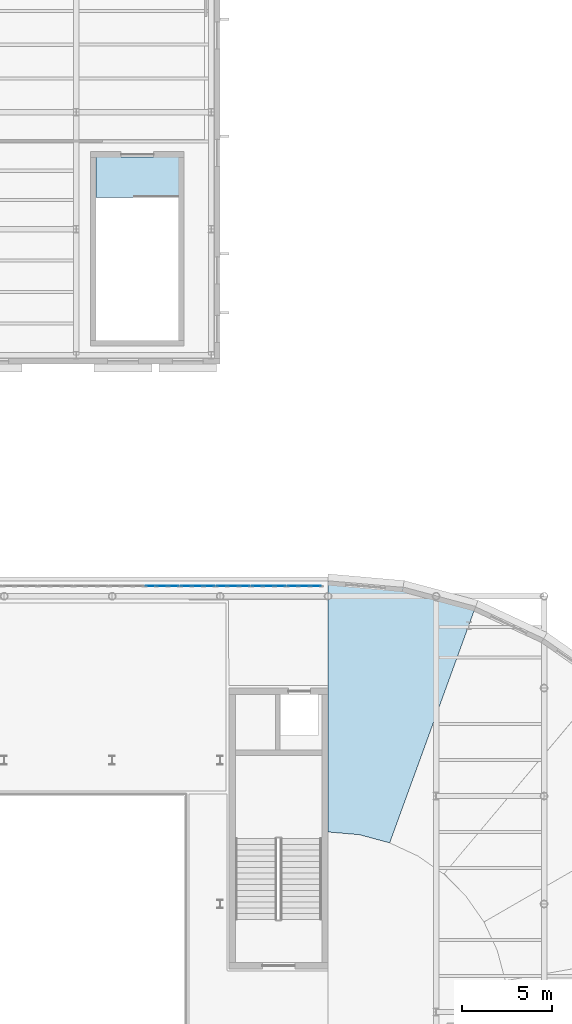
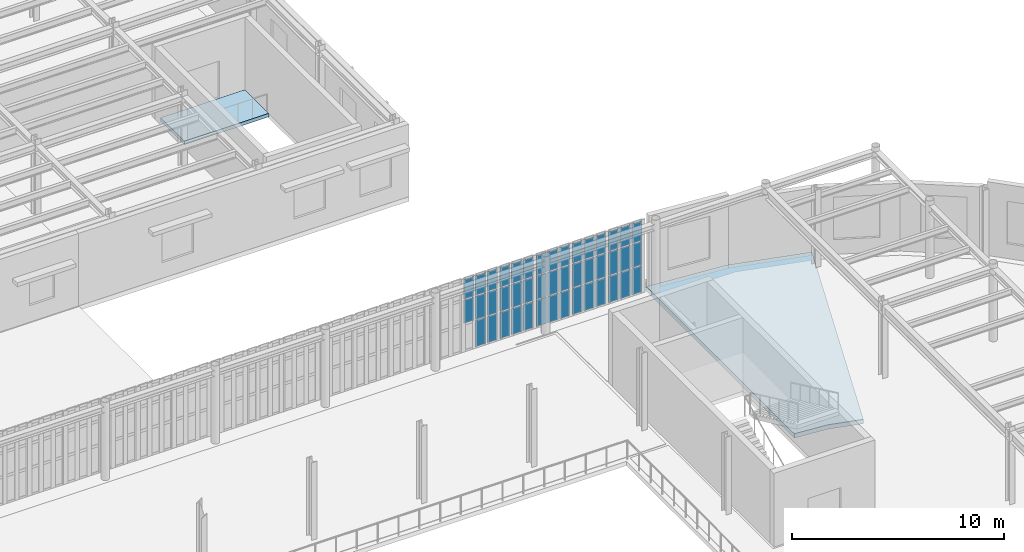
# One storey, part 56 of 91: 44 plates, 2 slabs, 5 elements without a shape of their own.
"""IFC4 building model written with IfcOpenShell, lengths in metres."""

from ifc_helpers import new_model, si_unit, direction, frame, origin, origin_2d, place, context, subcontext, project, spatial, polyline, rectangle, outline, extrude, material, layer, layer_set, type_object, element, aggregate, save


model = new_model("IFC4")

# Units and contexts
model_context = context("Model", 3, precision=1e-05, world=origin(), true_north=direction((0.0, 1.0)))
body_context = subcontext(model_context, "Body", "Model", "MODEL_VIEW")
ifc_project = project(units=[si_unit("LENGTHUNIT", "METRE"), si_unit("AREAUNIT", "SQUARE_METRE"), si_unit("VOLUMEUNIT", "CUBIC_METRE"), si_unit("PLANEANGLEUNIT", "RADIAN"), si_unit("MASSUNIT", "GRAM", prefix="KILO")], contexts=[model_context])

# Site, building, storey
site_placement = place(None, origin())
site = spatial("IfcSite", under=ifc_project, at=site_placement, CompositionType="ELEMENT")
building_placement = place(site_placement, origin())
building = spatial("IfcBuilding", under=site, at=building_placement, Name="Kolvaren Corner Interchange", CompositionType="ELEMENT")
storey_placement = place(building_placement, frame((0.0, 0.0, 6.0)))
storey = spatial("IfcBuildingStorey", under=building, at=storey_placement, Name="L02", CompositionType="ELEMENT", Elevation=6.0)

# Curtain wall, plates
ifc_material_1 = material(Name="Unitised Aluminium and Solar-Control Glass Curtain Wall", Category="aluminium")
curtain_wall_type = type_object("IfcCurtainWallType", Name="CW-V1-NORTH", PredefinedType="NOTDEFINED", material=ifc_material_1)
curtain_wall_1_placement = place(storey_placement, origin())
curtain_wall_1 = element("IfcCurtainWall", 1, at=curtain_wall_1_placement, inside=storey, type_object=curtain_wall_type, Name="North Concourse Gallery Curtain Wall Bay 01", PredefinedType="NOTDEFINED")
ifc_material_2 = material(Name="Low-E Solar-Control Laminated Glass", Category="glass")
ifc_layer_1 = layer(ifc_material_2, 0.035888671875)
ifc_layer_set_1 = layer_set([ifc_layer_1], Name="Low-E Solar-Control Laminated Glass")
plate_type = type_object("IfcPlateType", Name="PLT-CW-GL32", PredefinedType="CURTAIN_PANEL", material=ifc_layer_set_1)
plate_1_placement = place(storey_placement, frame((119.303955078125, 71.659912109375, 0.06494140625), z_axis=(0.0, 0.0, 1.0), x_axis=(-1.0, 0.0, 0.0)))
plate_1 = element("IfcPlate", 2, at=plate_1_placement, type_object=plate_type, Name="CW-058 panel 1.1", PredefinedType="CURTAIN_PANEL", context=body_context, shape_type="SweptSolid", body=[
    extrude(rectangle(XDim=0.552001953125, YDim=0.035888671875, at=origin_2d()), origin(), (0.0, 0.0, 1.0), 1.50244140625),
])
plate_2_placement = place(storey_placement, frame((119.303955078125, 71.659912109375, 1.632568359375), z_axis=(0.0, 0.0, 1.0), x_axis=(-1.0, 0.0, 0.0)))
plate_2 = element("IfcPlate", 3, at=plate_2_placement, type_object=plate_type, Name="CW-058 panel 1.2", PredefinedType="CURTAIN_PANEL", context=body_context, shape_type="SweptSolid", body=[
    extrude(rectangle(XDim=0.552001953125, YDim=0.035888671875, at=origin_2d()), origin(), (0.0, 0.0, 1.0), 1.3349609375),
])
plate_3_placement = place(storey_placement, frame((119.303955078125, 71.659912109375, 3.032470703125), z_axis=(0.0, 0.0, 1.0), x_axis=(-1.0, 0.0, 0.0)))
plate_3 = element("IfcPlate", 4, at=plate_3_placement, type_object=plate_type, Name="CW-058 panel 1.3", PredefinedType="CURTAIN_PANEL", context=body_context, shape_type="SweptSolid", body=[
    extrude(rectangle(XDim=0.552001953125, YDim=0.035888671875, at=origin_2d()), origin(), (0.0, 0.0, 1.0), 1.12255859375),
])
plate_4_placement = place(storey_placement, frame((118.66455078125, 71.659912109375, 0.06494140625), z_axis=(0.0, 0.0, 1.0), x_axis=(-1.0, 0.0, 0.0)))
plate_4 = element("IfcPlate", 5, at=plate_4_placement, type_object=plate_type, Name="CW-058 panel 2.1", PredefinedType="CURTAIN_PANEL", context=body_context, shape_type="SweptSolid", body=[
    extrude(rectangle(XDim=0.5869140625, YDim=0.035888671875, at=origin_2d()), origin(), (0.0, 0.0, 1.0), 1.50244140625),
])
plate_5_placement = place(storey_placement, frame((118.66455078125, 71.659912109375, 1.632568359375), z_axis=(0.0, 0.0, 1.0), x_axis=(-1.0, 0.0, 0.0)))
plate_5 = element("IfcPlate", 6, at=plate_5_placement, type_object=plate_type, Name="CW-058 panel 2.2", PredefinedType="CURTAIN_PANEL", context=body_context, shape_type="SweptSolid", body=[
    extrude(rectangle(XDim=0.5869140625, YDim=0.035888671875, at=origin_2d()), origin(), (0.0, 0.0, 1.0), 1.3349609375),
])
plate_6_placement = place(storey_placement, frame((118.66455078125, 71.659912109375, 3.032470703125), z_axis=(0.0, 0.0, 1.0), x_axis=(-1.0, 0.0, 0.0)))
plate_6 = element("IfcPlate", 7, at=plate_6_placement, type_object=plate_type, Name="CW-058 panel 2.3", PredefinedType="CURTAIN_PANEL", context=body_context, shape_type="SweptSolid", body=[
    extrude(rectangle(XDim=0.5869140625, YDim=0.035888671875, at=origin_2d()), origin(), (0.0, 0.0, 1.0), 1.12255859375),
])
plate_7_placement = place(storey_placement, frame((118.025146484375, 71.659912109375, 0.06494140625), z_axis=(0.0, 0.0, 1.0), x_axis=(-1.0, 0.0, 0.0)))
plate_7 = element("IfcPlate", 8, at=plate_7_placement, type_object=plate_type, Name="CW-058 panel 3.1", PredefinedType="CURTAIN_PANEL", context=body_context, shape_type="SweptSolid", body=[
    extrude(rectangle(XDim=0.552001953125, YDim=0.035888671875, at=origin_2d()), origin(), (0.0, 0.0, 1.0), 1.50244140625),
])
plate_8_placement = place(storey_placement, frame((118.025146484375, 71.659912109375, 1.632568359375), z_axis=(0.0, 0.0, 1.0), x_axis=(-1.0, 0.0, 0.0)))
plate_8 = element("IfcPlate", 9, at=plate_8_placement, type_object=plate_type, Name="CW-058 panel 3.2", PredefinedType="CURTAIN_PANEL", context=body_context, shape_type="SweptSolid", body=[
    extrude(rectangle(XDim=0.552001953125, YDim=0.035888671875, at=origin_2d()), origin(), (0.0, 0.0, 1.0), 1.3349609375),
])
plate_9_placement = place(storey_placement, frame((118.025146484375, 71.659912109375, 3.032470703125), z_axis=(0.0, 0.0, 1.0), x_axis=(-1.0, 0.0, 0.0)))
plate_9 = element("IfcPlate", 10, at=plate_9_placement, type_object=plate_type, Name="CW-058 panel 3.3", PredefinedType="CURTAIN_PANEL", context=body_context, shape_type="SweptSolid", body=[
    extrude(rectangle(XDim=0.552001953125, YDim=0.035888671875, at=origin_2d()), origin(), (0.0, 0.0, 1.0), 1.12255859375),
])
aggregate(curtain_wall_1, [plate_1, plate_2, plate_3, plate_4, plate_5, plate_6, plate_7, plate_8, plate_9])

curtain_wall_2_placement = place(storey_placement, origin())
curtain_wall_2 = element("IfcCurtainWall", 11, at=curtain_wall_2_placement, inside=storey, type_object=curtain_wall_type, Name="North Concourse Gallery Curtain Wall Bay 02", PredefinedType="NOTDEFINED")
plate_10_placement = place(storey_placement, frame((117.333251953125, 71.659912109375, 0.06494140625), z_axis=(0.0, 0.0, 1.0), x_axis=(-1.0, 0.0, 0.0)))
plate_10 = element("IfcPlate", 12, at=plate_10_placement, type_object=plate_type, Name="CW-059 panel 1.1", PredefinedType="CURTAIN_PANEL", context=body_context, shape_type="SweptSolid", body=[
    extrude(rectangle(XDim=0.552001953125, YDim=0.035888671875, at=origin_2d()), origin(), (0.0, 0.0, 1.0), 1.50244140625),
])
plate_11_placement = place(storey_placement, frame((117.333251953125, 71.659912109375, 1.632568359375), z_axis=(0.0, 0.0, 1.0), x_axis=(-1.0, 0.0, 0.0)))
plate_11 = element("IfcPlate", 13, at=plate_11_placement, type_object=plate_type, Name="CW-059 panel 1.2", PredefinedType="CURTAIN_PANEL", context=body_context, shape_type="SweptSolid", body=[
    extrude(rectangle(XDim=0.552001953125, YDim=0.035888671875, at=origin_2d()), origin(), (0.0, 0.0, 1.0), 1.3349609375),
])
plate_12_placement = place(storey_placement, frame((117.333251953125, 71.659912109375, 3.032470703125), z_axis=(0.0, 0.0, 1.0), x_axis=(-1.0, 0.0, 0.0)))
plate_12 = element("IfcPlate", 14, at=plate_12_placement, type_object=plate_type, Name="CW-059 panel 1.3", PredefinedType="CURTAIN_PANEL", context=body_context, shape_type="SweptSolid", body=[
    extrude(rectangle(XDim=0.552001953125, YDim=0.035888671875, at=origin_2d()), origin(), (0.0, 0.0, 1.0), 1.12255859375),
])
plate_13_placement = place(storey_placement, frame((116.69384765625, 71.659912109375, 0.06494140625), z_axis=(0.0, 0.0, 1.0), x_axis=(-1.0, 0.0, 0.0)))
plate_13 = element("IfcPlate", 15, at=plate_13_placement, type_object=plate_type, Name="CW-059 panel 2.1", PredefinedType="CURTAIN_PANEL", context=body_context, shape_type="SweptSolid", body=[
    extrude(rectangle(XDim=0.5869140625, YDim=0.035888671875, at=origin_2d()), origin(), (0.0, 0.0, 1.0), 1.50244140625),
])
plate_14_placement = place(storey_placement, frame((116.69384765625, 71.659912109375, 1.632568359375), z_axis=(0.0, 0.0, 1.0), x_axis=(-1.0, 0.0, 0.0)))
plate_14 = element("IfcPlate", 16, at=plate_14_placement, type_object=plate_type, Name="CW-059 panel 2.2", PredefinedType="CURTAIN_PANEL", context=body_context, shape_type="SweptSolid", body=[
    extrude(rectangle(XDim=0.5869140625, YDim=0.035888671875, at=origin_2d()), origin(), (0.0, 0.0, 1.0), 1.3349609375),
])
plate_15_placement = place(storey_placement, frame((116.69384765625, 71.659912109375, 3.032470703125), z_axis=(0.0, 0.0, 1.0), x_axis=(-1.0, 0.0, 0.0)))
plate_15 = element("IfcPlate", 17, at=plate_15_placement, type_object=plate_type, Name="CW-059 panel 2.3", PredefinedType="CURTAIN_PANEL", context=body_context, shape_type="SweptSolid", body=[
    extrude(rectangle(XDim=0.5869140625, YDim=0.035888671875, at=origin_2d()), origin(), (0.0, 0.0, 1.0), 1.12255859375),
])
plate_16_placement = place(storey_placement, frame((116.05419921875, 71.659912109375, 0.06494140625), z_axis=(0.0, 0.0, 1.0), x_axis=(-1.0, 0.0, 0.0)))
plate_16 = element("IfcPlate", 18, at=plate_16_placement, type_object=plate_type, Name="CW-059 panel 3.1", PredefinedType="CURTAIN_PANEL", context=body_context, shape_type="SweptSolid", body=[
    extrude(rectangle(XDim=0.552001953125, YDim=0.035888671875, at=origin_2d()), origin(), (0.0, 0.0, 1.0), 1.50244140625),
])
plate_17_placement = place(storey_placement, frame((116.05419921875, 71.659912109375, 1.632568359375), z_axis=(0.0, 0.0, 1.0), x_axis=(-1.0, 0.0, 0.0)))
plate_17 = element("IfcPlate", 19, at=plate_17_placement, type_object=plate_type, Name="CW-059 panel 3.2", PredefinedType="CURTAIN_PANEL", context=body_context, shape_type="SweptSolid", body=[
    extrude(rectangle(XDim=0.552001953125, YDim=0.035888671875, at=origin_2d()), origin(), (0.0, 0.0, 1.0), 1.3349609375),
])
plate_18_placement = place(storey_placement, frame((116.05419921875, 71.659912109375, 3.032470703125), z_axis=(0.0, 0.0, 1.0), x_axis=(-1.0, 0.0, 0.0)))
plate_18 = element("IfcPlate", 20, at=plate_18_placement, type_object=plate_type, Name="CW-059 panel 3.3", PredefinedType="CURTAIN_PANEL", context=body_context, shape_type="SweptSolid", body=[
    extrude(rectangle(XDim=0.552001953125, YDim=0.035888671875, at=origin_2d()), origin(), (0.0, 0.0, 1.0), 1.12255859375),
])
aggregate(curtain_wall_2, [plate_10, plate_11, plate_12, plate_13, plate_14, plate_15, plate_16, plate_17, plate_18])

curtain_wall_3_placement = place(storey_placement, origin())
curtain_wall_3 = element("IfcCurtainWall", 21, at=curtain_wall_3_placement, inside=storey, type_object=curtain_wall_type, Name="North Concourse Gallery Curtain Wall Bay 03", PredefinedType="NOTDEFINED")
plate_19_placement = place(storey_placement, frame((115.3623046875, 71.659912109375, 0.06494140625), z_axis=(0.0, 0.0, 1.0), x_axis=(-1.0, 0.0, 0.0)))
plate_19 = element("IfcPlate", 22, at=plate_19_placement, type_object=plate_type, Name="CW-060 panel 1.1", PredefinedType="CURTAIN_PANEL", context=body_context, shape_type="SweptSolid", body=[
    extrude(rectangle(XDim=0.552001953125, YDim=0.035888671875, at=origin_2d()), origin(), (0.0, 0.0, 1.0), 1.50244140625),
])
plate_20_placement = place(storey_placement, frame((115.3623046875, 71.659912109375, 1.632568359375), z_axis=(0.0, 0.0, 1.0), x_axis=(-1.0, 0.0, 0.0)))
plate_20 = element("IfcPlate", 23, at=plate_20_placement, type_object=plate_type, Name="CW-060 panel 1.2", PredefinedType="CURTAIN_PANEL", context=body_context, shape_type="SweptSolid", body=[
    extrude(rectangle(XDim=0.552001953125, YDim=0.035888671875, at=origin_2d()), origin(), (0.0, 0.0, 1.0), 1.3349609375),
])
plate_21_placement = place(storey_placement, frame((115.3623046875, 71.659912109375, 3.032470703125), z_axis=(0.0, 0.0, 1.0), x_axis=(-1.0, 0.0, 0.0)))
plate_21 = element("IfcPlate", 24, at=plate_21_placement, type_object=plate_type, Name="CW-060 panel 1.3", PredefinedType="CURTAIN_PANEL", context=body_context, shape_type="SweptSolid", body=[
    extrude(rectangle(XDim=0.552001953125, YDim=0.035888671875, at=origin_2d()), origin(), (0.0, 0.0, 1.0), 1.12255859375),
])
plate_22_placement = place(storey_placement, frame((114.722900390625, 71.659912109375, 0.06494140625), z_axis=(0.0, 0.0, 1.0), x_axis=(-1.0, 0.0, 0.0)))
plate_22 = element("IfcPlate", 25, at=plate_22_placement, type_object=plate_type, Name="CW-060 panel 2.1", PredefinedType="CURTAIN_PANEL", context=body_context, shape_type="SweptSolid", body=[
    extrude(rectangle(XDim=0.5869140625, YDim=0.035888671875, at=origin_2d()), origin(), (0.0, 0.0, 1.0), 1.50244140625),
])
plate_23_placement = place(storey_placement, frame((114.722900390625, 71.659912109375, 1.632568359375), z_axis=(0.0, 0.0, 1.0), x_axis=(-1.0, 0.0, 0.0)))
plate_23 = element("IfcPlate", 26, at=plate_23_placement, type_object=plate_type, Name="CW-060 panel 2.2", PredefinedType="CURTAIN_PANEL", context=body_context, shape_type="SweptSolid", body=[
    extrude(rectangle(XDim=0.5869140625, YDim=0.035888671875, at=origin_2d()), origin(), (0.0, 0.0, 1.0), 1.3349609375),
])
plate_24_placement = place(storey_placement, frame((114.722900390625, 71.659912109375, 3.032470703125), z_axis=(0.0, 0.0, 1.0), x_axis=(-1.0, 0.0, 0.0)))
plate_24 = element("IfcPlate", 27, at=plate_24_placement, type_object=plate_type, Name="CW-060 panel 2.3", PredefinedType="CURTAIN_PANEL", context=body_context, shape_type="SweptSolid", body=[
    extrude(rectangle(XDim=0.5869140625, YDim=0.035888671875, at=origin_2d()), origin(), (0.0, 0.0, 1.0), 1.12255859375),
])
plate_25_placement = place(storey_placement, frame((114.08349609375, 71.659912109375, 0.06494140625), z_axis=(0.0, 0.0, 1.0), x_axis=(-1.0, 0.0, 0.0)))
plate_25 = element("IfcPlate", 28, at=plate_25_placement, type_object=plate_type, Name="CW-060 panel 3.1", PredefinedType="CURTAIN_PANEL", context=body_context, shape_type="SweptSolid", body=[
    extrude(rectangle(XDim=0.552001953125, YDim=0.035888671875, at=origin_2d()), origin(), (0.0, 0.0, 1.0), 1.50244140625),
])
plate_26_placement = place(storey_placement, frame((114.08349609375, 71.659912109375, 1.632568359375), z_axis=(0.0, 0.0, 1.0), x_axis=(-1.0, 0.0, 0.0)))
plate_26 = element("IfcPlate", 29, at=plate_26_placement, type_object=plate_type, Name="CW-060 panel 3.2", PredefinedType="CURTAIN_PANEL", context=body_context, shape_type="SweptSolid", body=[
    extrude(rectangle(XDim=0.552001953125, YDim=0.035888671875, at=origin_2d()), origin(), (0.0, 0.0, 1.0), 1.3349609375),
])
plate_27_placement = place(storey_placement, frame((114.08349609375, 71.659912109375, 3.032470703125), z_axis=(0.0, 0.0, 1.0), x_axis=(-1.0, 0.0, 0.0)))
plate_27 = element("IfcPlate", 30, at=plate_27_placement, type_object=plate_type, Name="CW-060 panel 3.3", PredefinedType="CURTAIN_PANEL", context=body_context, shape_type="SweptSolid", body=[
    extrude(rectangle(XDim=0.552001953125, YDim=0.035888671875, at=origin_2d()), origin(), (0.0, 0.0, 1.0), 1.12255859375),
])
aggregate(curtain_wall_3, [plate_19, plate_20, plate_21, plate_22, plate_23, plate_24, plate_25, plate_26, plate_27])

curtain_wall_4_placement = place(storey_placement, origin())
curtain_wall_4 = element("IfcCurtainWall", 31, at=curtain_wall_4_placement, inside=storey, type_object=curtain_wall_type, Name="North Concourse Gallery Curtain Wall Bay 04", PredefinedType="NOTDEFINED")
plate_28_placement = place(storey_placement, frame((113.3916015625, 71.659912109375, 0.06494140625), z_axis=(0.0, 0.0, 1.0), x_axis=(-1.0, 0.0, 0.0)))
plate_28 = element("IfcPlate", 32, at=plate_28_placement, type_object=plate_type, Name="CW-061 panel 1.1", PredefinedType="CURTAIN_PANEL", context=body_context, shape_type="SweptSolid", body=[
    extrude(rectangle(XDim=0.552001953125, YDim=0.035888671875, at=origin_2d()), origin(), (0.0, 0.0, 1.0), 1.50244140625),
])
plate_29_placement = place(storey_placement, frame((113.3916015625, 71.659912109375, 1.632568359375), z_axis=(0.0, 0.0, 1.0), x_axis=(-1.0, 0.0, 0.0)))
plate_29 = element("IfcPlate", 33, at=plate_29_placement, type_object=plate_type, Name="CW-061 panel 1.2", PredefinedType="CURTAIN_PANEL", context=body_context, shape_type="SweptSolid", body=[
    extrude(rectangle(XDim=0.552001953125, YDim=0.035888671875, at=origin_2d()), origin(), (0.0, 0.0, 1.0), 1.3349609375),
])
plate_30_placement = place(storey_placement, frame((113.3916015625, 71.659912109375, 3.032470703125), z_axis=(0.0, 0.0, 1.0), x_axis=(-1.0, 0.0, 0.0)))
plate_30 = element("IfcPlate", 34, at=plate_30_placement, type_object=plate_type, Name="CW-061 panel 1.3", PredefinedType="CURTAIN_PANEL", context=body_context, shape_type="SweptSolid", body=[
    extrude(rectangle(XDim=0.552001953125, YDim=0.035888671875, at=origin_2d()), origin(), (0.0, 0.0, 1.0), 1.12255859375),
])
plate_31_placement = place(storey_placement, frame((112.752197265625, 71.659912109375, 0.06494140625), z_axis=(0.0, 0.0, 1.0), x_axis=(-1.0, 0.0, 0.0)))
plate_31 = element("IfcPlate", 35, at=plate_31_placement, type_object=plate_type, Name="CW-061 panel 2.1", PredefinedType="CURTAIN_PANEL", context=body_context, shape_type="SweptSolid", body=[
    extrude(rectangle(XDim=0.5869140625, YDim=0.035888671875, at=origin_2d()), origin(), (0.0, 0.0, 1.0), 1.50244140625),
])
plate_32_placement = place(storey_placement, frame((112.752197265625, 71.659912109375, 1.632568359375), z_axis=(0.0, 0.0, 1.0), x_axis=(-1.0, 0.0, 0.0)))
plate_32 = element("IfcPlate", 36, at=plate_32_placement, type_object=plate_type, Name="CW-061 panel 2.2", PredefinedType="CURTAIN_PANEL", context=body_context, shape_type="SweptSolid", body=[
    extrude(rectangle(XDim=0.5869140625, YDim=0.035888671875, at=origin_2d()), origin(), (0.0, 0.0, 1.0), 1.3349609375),
])
plate_33_placement = place(storey_placement, frame((112.752197265625, 71.659912109375, 3.032470703125), z_axis=(0.0, 0.0, 1.0), x_axis=(-1.0, 0.0, 0.0)))
plate_33 = element("IfcPlate", 37, at=plate_33_placement, type_object=plate_type, Name="CW-061 panel 2.3", PredefinedType="CURTAIN_PANEL", context=body_context, shape_type="SweptSolid", body=[
    extrude(rectangle(XDim=0.5869140625, YDim=0.035888671875, at=origin_2d()), origin(), (0.0, 0.0, 1.0), 1.12255859375),
])
plate_34_placement = place(storey_placement, frame((112.112548828125, 71.659912109375, 0.06494140625), z_axis=(0.0, 0.0, 1.0), x_axis=(-1.0, 0.0, 0.0)))
plate_34 = element("IfcPlate", 38, at=plate_34_placement, type_object=plate_type, Name="CW-061 panel 3.1", PredefinedType="CURTAIN_PANEL", context=body_context, shape_type="SweptSolid", body=[
    extrude(rectangle(XDim=0.552001953125, YDim=0.035888671875, at=origin_2d()), origin(), (0.0, 0.0, 1.0), 1.50244140625),
])
plate_35_placement = place(storey_placement, frame((112.112548828125, 71.659912109375, 1.632568359375), z_axis=(0.0, 0.0, 1.0), x_axis=(-1.0, 0.0, 0.0)))
plate_35 = element("IfcPlate", 39, at=plate_35_placement, type_object=plate_type, Name="CW-061 panel 3.2", PredefinedType="CURTAIN_PANEL", context=body_context, shape_type="SweptSolid", body=[
    extrude(rectangle(XDim=0.552001953125, YDim=0.035888671875, at=origin_2d()), origin(), (0.0, 0.0, 1.0), 1.3349609375),
])
plate_36_placement = place(storey_placement, frame((112.112548828125, 71.659912109375, 3.032470703125), z_axis=(0.0, 0.0, 1.0), x_axis=(-1.0, 0.0, 0.0)))
plate_36 = element("IfcPlate", 40, at=plate_36_placement, type_object=plate_type, Name="CW-061 panel 3.3", PredefinedType="CURTAIN_PANEL", context=body_context, shape_type="SweptSolid", body=[
    extrude(rectangle(XDim=0.552001953125, YDim=0.035888671875, at=origin_2d()), origin(), (0.0, 0.0, 1.0), 1.12255859375),
])
aggregate(curtain_wall_4, [plate_28, plate_29, plate_30, plate_31, plate_32, plate_33, plate_34, plate_35, plate_36])

curtain_wall_5_placement = place(storey_placement, origin())
curtain_wall_5 = element("IfcCurtainWall", 41, at=curtain_wall_5_placement, inside=storey, type_object=curtain_wall_type, Name="North Concourse Gallery Curtain Wall Bay 05", PredefinedType="NOTDEFINED")
plate_37_placement = place(storey_placement, frame((111.420654296875, 71.659912109375, 0.06494140625), z_axis=(0.0, 0.0, 1.0), x_axis=(-1.0, 0.0, 0.0)))
plate_37 = element("IfcPlate", 42, at=plate_37_placement, type_object=plate_type, Name="CW-062 panel 1.1", PredefinedType="CURTAIN_PANEL", context=body_context, shape_type="SweptSolid", body=[
    extrude(rectangle(XDim=0.552001953125, YDim=0.035888671875, at=origin_2d()), origin(), (0.0, 0.0, 1.0), 1.50244140625),
])
plate_38_placement = place(storey_placement, frame((111.420654296875, 71.659912109375, 1.632568359375), z_axis=(0.0, 0.0, 1.0), x_axis=(-1.0, 0.0, 0.0)))
plate_38 = element("IfcPlate", 43, at=plate_38_placement, type_object=plate_type, Name="CW-062 panel 1.2", PredefinedType="CURTAIN_PANEL", context=body_context, shape_type="SweptSolid", body=[
    extrude(rectangle(XDim=0.552001953125, YDim=0.035888671875, at=origin_2d()), origin(), (0.0, 0.0, 1.0), 1.3349609375),
])
plate_39_placement = place(storey_placement, frame((111.420654296875, 71.659912109375, 3.032470703125), z_axis=(0.0, 0.0, 1.0), x_axis=(-1.0, 0.0, 0.0)))
plate_39 = element("IfcPlate", 44, at=plate_39_placement, type_object=plate_type, Name="CW-062 panel 1.3", PredefinedType="CURTAIN_PANEL", context=body_context, shape_type="SweptSolid", body=[
    extrude(rectangle(XDim=0.552001953125, YDim=0.035888671875, at=origin_2d()), origin(), (0.0, 0.0, 1.0), 1.12255859375),
])
plate_40_placement = place(storey_placement, frame((110.78125, 71.659912109375, 0.06494140625), z_axis=(0.0, 0.0, 1.0), x_axis=(-1.0, 0.0, 0.0)))
plate_40 = element("IfcPlate", 45, at=plate_40_placement, type_object=plate_type, Name="CW-062 panel 2.1", PredefinedType="CURTAIN_PANEL", context=body_context, shape_type="SweptSolid", body=[
    extrude(rectangle(XDim=0.5869140625, YDim=0.035888671875, at=origin_2d()), origin(), (0.0, 0.0, 1.0), 1.50244140625),
])
plate_41_placement = place(storey_placement, frame((110.78125, 71.659912109375, 1.632568359375), z_axis=(0.0, 0.0, 1.0), x_axis=(-1.0, 0.0, 0.0)))
plate_41 = element("IfcPlate", 46, at=plate_41_placement, type_object=plate_type, Name="CW-062 panel 2.2", PredefinedType="CURTAIN_PANEL", context=body_context, shape_type="SweptSolid", body=[
    extrude(rectangle(XDim=0.5869140625, YDim=0.035888671875, at=origin_2d()), origin(), (0.0, 0.0, 1.0), 1.3349609375),
])
plate_42_placement = place(storey_placement, frame((110.78125, 71.659912109375, 3.032470703125), z_axis=(0.0, 0.0, 1.0), x_axis=(-1.0, 0.0, 0.0)))
plate_42 = element("IfcPlate", 47, at=plate_42_placement, type_object=plate_type, Name="CW-062 panel 2.3", PredefinedType="CURTAIN_PANEL", context=body_context, shape_type="SweptSolid", body=[
    extrude(rectangle(XDim=0.5869140625, YDim=0.035888671875, at=origin_2d()), origin(), (0.0, 0.0, 1.0), 1.12255859375),
])
plate_43_placement = place(storey_placement, frame((110.141845703125, 71.659912109375, 1.632568359375), z_axis=(0.0, 0.0, 1.0), x_axis=(-1.0, 0.0, 0.0)))
plate_43 = element("IfcPlate", 48, at=plate_43_placement, type_object=plate_type, Name="CW-062 panel 3.2", PredefinedType="CURTAIN_PANEL", context=body_context, shape_type="SweptSolid", body=[
    extrude(rectangle(XDim=0.552001953125, YDim=0.035888671875, at=origin_2d()), origin(), (0.0, 0.0, 1.0), 1.3349609375),
])
plate_44_placement = place(storey_placement, frame((110.141845703125, 71.659912109375, 3.032470703125), z_axis=(0.0, 0.0, 1.0), x_axis=(-1.0, 0.0, 0.0)))
plate_44 = element("IfcPlate", 49, at=plate_44_placement, type_object=plate_type, Name="CW-062 panel 3.3", PredefinedType="CURTAIN_PANEL", context=body_context, shape_type="SweptSolid", body=[
    extrude(rectangle(XDim=0.552001953125, YDim=0.035888671875, at=origin_2d()), origin(), (0.0, 0.0, 1.0), 1.12255859375),
])
aggregate(curtain_wall_5, [plate_37, plate_38, plate_39, plate_40, plate_41, plate_42, plate_43, plate_44])

# Slabs
ifc_material_3 = material(Name="Concrete C35/45", Category="concrete")
ifc_layer_2 = layer(ifc_material_3, 0.25)
ifc_layer_set_2 = layer_set([ifc_layer_2], Name="Concrete C35/45")
slab_type_1 = type_object("IfcSlabType", Name="SL-COMP-250", PredefinedType="FLOOR", material=ifc_layer_set_2)
slab_1_placement = place(storey_placement, frame((0.0, 0.0, -0.25)))
element("IfcSlab", 50, at=slab_1_placement, inside=storey, type_object=slab_type_1, Name="Level 02 Racetrack East Gallery Radial Slab 09", PredefinedType="FLOOR", context=body_context, shape_type="SweptSolid", body=[
    extrude(outline(polyline([(123.420166015625, 57.39697265625), (128.20849609375, 70.552490234375), (124.16748046875, 71.635498046875), (120.0, 72.0), (120.0, 58.0), (121.736572265625, 57.84814453125), (123.420166015625, 57.39697265625)])), origin(), (0.0, 0.0, 1.0), 0.25),
])
ifc_material_4 = material(Name="Concrete C35/45", Category="concrete")
ifc_layer_3 = layer(ifc_material_4, 0.199951171875)
ifc_layer_set_3 = layer_set([ifc_layer_3], Name="Concrete C35/45")
slab_type_2 = type_object("IfcSlabType", Name="SL-STAIR-LAND200", PredefinedType="LANDING", material=ifc_layer_set_3)
slab_2_placement = place(storey_placement, frame((0.0, 0.0, -0.199951171875)))
element("IfcSlab", 51, at=slab_2_placement, inside=storey, type_object=slab_type_2, Name="Cycle Hub East Mezzanine Exit Stair L02 Floor Arrival Landing Slab", PredefinedType="LANDING", context=body_context, shape_type="SweptSolid", body=[
    extrude(outline(polyline([(107.10009765625, 95.5), (107.10009765625, 93.25), (111.699951171875, 93.25), (111.699951171875, 95.5), (107.10009765625, 95.5)])), origin(), (0.0, 0.0, 1.0), 0.199951171875),
])

save(model, "model.ifc")
